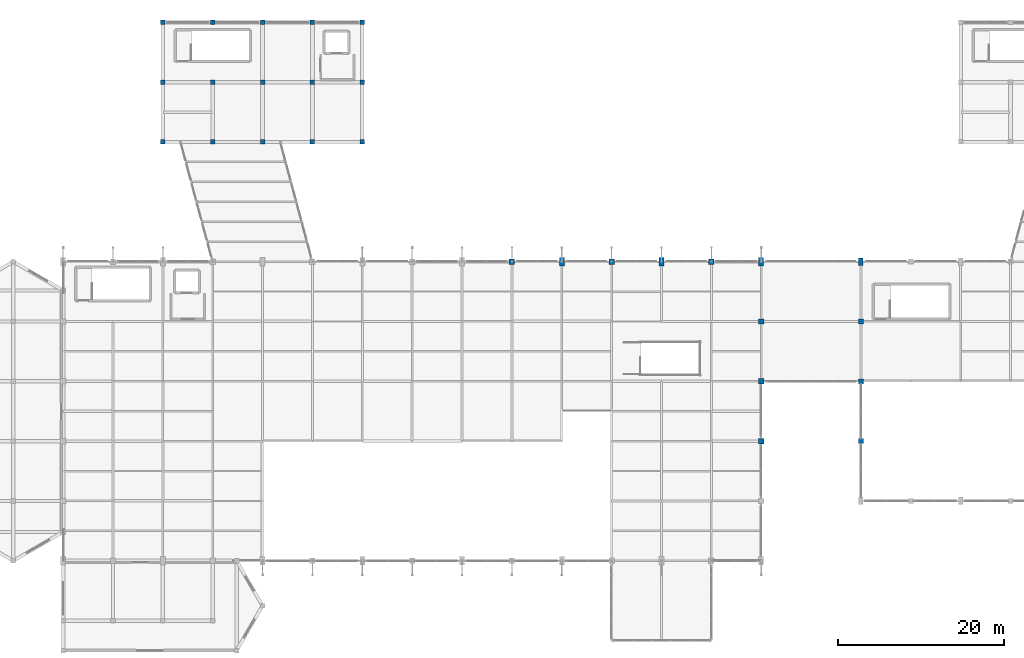
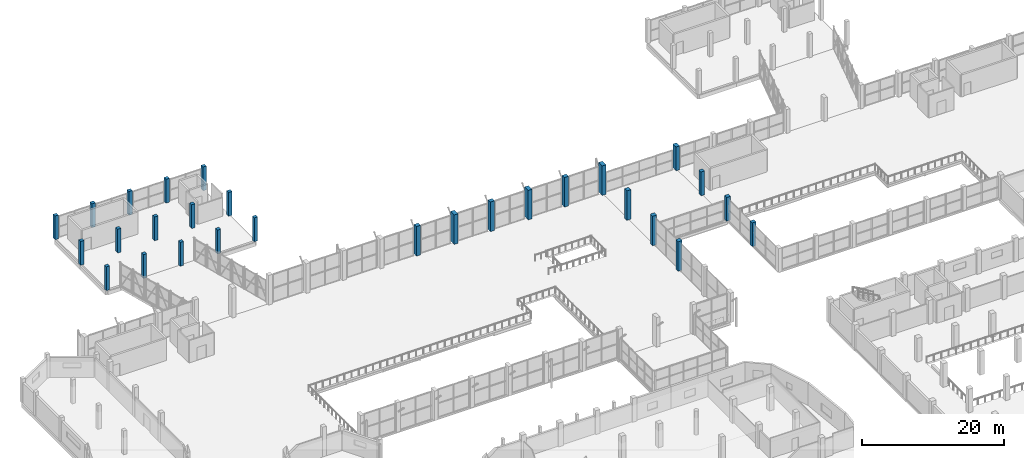
# One storey, part 9 of 127: 28 columns.
"""IFC4 building model written with IfcOpenShell, lengths in metres."""

from ifc_helpers import new_model, si_unit, direction, frame, origin, origin_2d, place, context, subcontext, project, spatial, rectangle, extrude, material, material_profile, profile_set, type_object, element, save


model = new_model("IFC4")

# Units and contexts
model_context = context("Model", 3, precision=1e-05, world=origin(), true_north=direction((0.0, 1.0)))
body_context = subcontext(model_context, "Body", "Model", "MODEL_VIEW")
ifc_project = project(units=[si_unit("LENGTHUNIT", "METRE"), si_unit("AREAUNIT", "SQUARE_METRE"), si_unit("VOLUMEUNIT", "CUBIC_METRE"), si_unit("PLANEANGLEUNIT", "RADIAN"), si_unit("MASSUNIT", "GRAM", prefix="KILO")], contexts=[model_context])

# Site, building, storey
site_placement = place(None, origin())
site = spatial("IfcSite", under=ifc_project, at=site_placement, CompositionType="ELEMENT")
building_placement = place(site_placement, origin())
building = spatial("IfcBuilding", under=site, at=building_placement, Name="Dunvalen Ferry Terminal", CompositionType="ELEMENT")
storey_placement = place(building_placement, frame((0.0, 0.0, 5.760009765625)))
storey = spatial("IfcBuildingStorey", under=building, at=storey_placement, Name="L01", CompositionType="ELEMENT", Elevation=5.760009765625)

# Columns
ifc_material_1 = material(Name="Concrete C40/50", Category="concrete")
ifc_material_profile_1 = material_profile(ifc_material_1, rectangle(XDim=0.60009765625, YDim=1.0, at=origin_2d()), Name="Concrete C40/50")
ifc_profile_set_1 = profile_set([ifc_material_profile_1], Name="Concrete C40/50")
column_type_1 = type_object("IfcColumnType", Name="STR-COL-PIER1000", PredefinedType="COLUMN", material=ifc_profile_set_1)
for number, where, z_axis, x_axis, name in (
    (1, (72.0, 86.39990234375, 0.0), (0.0, 0.0, 1.0), (1.0, 0.0, 0.0), "L01 Departure Hall Upper Pier 26"),
    (2, (84.0, 86.39990234375, 0.0), (0.0, 0.0, 1.0), (1.0, 0.0, 0.0), "L01 Departure Hall Upper Pier 28"),
    (3, (96.0, 86.39990234375, 0.0), (0.0, 0.0, 1.0), (1.0, 0.0, 0.0), "L01 Departure Hall Upper Pier 30"),
):
    element("IfcColumn", number, at=place(storey_placement, frame(where, z_axis=z_axis, x_axis=x_axis)), inside=storey, type_object=column_type_1, Name=name, PredefinedType="COLUMN", context=body_context, shape_type="SweptSolid", body=[
        extrude(rectangle(XDim=0.60009765625, YDim=1.0, at=origin_2d()), origin(), (0.0, 0.0, 1.0), 5.080078125),
    ])
ifc_material_profile_2 = material_profile(ifc_material_1, rectangle(XDim=0.550048828125, YDim=0.89990234375, at=origin_2d()), Name="Concrete C40/50")
ifc_profile_set_2 = profile_set([ifc_material_profile_2], Name="Concrete C40/50")
column_type_2 = type_object("IfcColumnType", Name="STR-COL-PIER900", PredefinedType="COLUMN", material=ifc_profile_set_2)
column_placement = place(storey_placement, frame((108.0, 86.39990234375, 0.0), z_axis=(0.0, 0.0, 1.0), x_axis=(1.0, 0.0, 0.0)))
element("IfcColumn", 4, at=column_placement, inside=storey, type_object=column_type_2, Name="L01 Arrivals Hall Upper Pier 12", PredefinedType="COLUMN", context=body_context, shape_type="SweptSolid", body=[
    extrude(rectangle(XDim=0.550048828125, YDim=0.89990234375, at=origin_2d()), origin(), (0.0, 0.0, 1.0), 4.080078125),
])
ifc_material_2 = material(Name="Concrete C35/45", Category="concrete")
ifc_material_profile_3 = material_profile(ifc_material_2, rectangle(XDim=0.550048828125, YDim=0.550048828125, at=origin_2d()), Name="Concrete C35/45")
ifc_profile_set_3 = profile_set([ifc_material_profile_3], Name="Concrete C35/45")
column_type_3 = type_object("IfcColumnType", Name="STR-COL-RC550", PredefinedType="COLUMN", material=ifc_profile_set_3)
for number, where, z_axis, x_axis, name in (
    (5, (24.0, 100.800048828125, 0.0), (0.0, 0.0, 1.0), (1.0, 0.0, 0.0), "L01 Berth Pavilion 1 Column 01"),
    (6, (24.0, 108.0, 0.0), (0.0, 0.0, 1.0), (1.0, 0.0, 0.0), "L01 Berth Pavilion 1 Column 02"),
    (7, (24.0, 115.199951171875, 0.0), (0.0, 0.0, 1.0), (1.0, 0.0, 0.0), "L01 Berth Pavilion 1 Column 03"),
    (8, (30.0, 100.800048828125, 0.0), (0.0, 0.0, 1.0), (1.0, 0.0, 0.0), "L01 Berth Pavilion 1 Column 04"),
    (9, (30.0, 108.0, 0.0), (0.0, 0.0, 1.0), (1.0, 0.0, 0.0), "L01 Berth Pavilion 1 Column 05"),
    (10, (30.0, 115.199951171875, 0.0), (0.0, 0.0, 1.0), (1.0, 0.0, 0.0), "L01 Berth Pavilion 1 Column 06"),
    (11, (36.0, 100.800048828125, 0.0), (0.0, 0.0, 1.0), (1.0, 0.0, 0.0), "L01 Berth Pavilion 1 Column 07"),
    (12, (36.0, 108.0, 0.0), (0.0, 0.0, 1.0), (1.0, 0.0, 0.0), "L01 Berth Pavilion 1 Column 08"),
    (13, (36.0, 115.199951171875, 0.0), (0.0, 0.0, 1.0), (1.0, 0.0, 0.0), "L01 Berth Pavilion 1 Column 09"),
    (14, (42.0, 100.800048828125, 0.0), (0.0, 0.0, 1.0), (1.0, 0.0, 0.0), "L01 Berth Pavilion 1 Column 10"),
    (15, (42.0, 108.0, 0.0), (0.0, 0.0, 1.0), (1.0, 0.0, 0.0), "L01 Berth Pavilion 1 Column 11"),
    (16, (42.0, 115.199951171875, 0.0), (0.0, 0.0, 1.0), (1.0, 0.0, 0.0), "L01 Berth Pavilion 1 Column 12"),
    (17, (48.0, 100.800048828125, 0.0), (0.0, 0.0, 1.0), (1.0, 0.0, 0.0), "L01 Berth Pavilion 1 Column 13"),
    (18, (48.0, 108.0, 0.0), (0.0, 0.0, 1.0), (1.0, 0.0, 0.0), "L01 Berth Pavilion 1 Column 14"),
    (19, (48.0, 115.199951171875, 0.0), (0.0, 0.0, 1.0), (1.0, 0.0, 0.0), "L01 Berth Pavilion 1 Column 15"),
):
    element("IfcColumn", number, at=place(storey_placement, frame(where, z_axis=z_axis, x_axis=x_axis)), inside=storey, type_object=column_type_3, Name=name, PredefinedType="COLUMN", context=body_context, shape_type="SweptSolid", body=[
        extrude(rectangle(XDim=0.550048828125, YDim=0.550048828125, at=origin_2d()), origin(), (0.0, 0.0, 1.0), 4.080078125),
    ])
ifc_material_profile_4 = material_profile(ifc_material_1, rectangle(XDim=0.60009765625, YDim=0.60009765625, at=origin_2d()), Name="Concrete C40/50")
ifc_profile_set_4 = profile_set([ifc_material_profile_4], Name="Concrete C40/50")
column_type_4 = type_object("IfcColumnType", Name="STR-COL-RC600", PredefinedType="COLUMN", material=ifc_profile_set_4)
for number, where, z_axis, x_axis, name in (
    (20, (108.0, 64.800048828125, 0.0), (0.0, 0.0, 1.0), (1.0, 0.0, 0.0), "L01 Arrivals Hall Upper Pier 23"),
    (21, (108.0, 72.0, 0.0), (0.0, 0.0, 1.0), (1.0, 0.0, 0.0), "L01 Arrivals Hall Upper Pier 24"),
    (22, (108.0, 79.199951171875, 0.0), (0.0, 0.0, 1.0), (1.0, 0.0, 0.0), "L01 Arrivals Hall Upper Pier 25"),
):
    element("IfcColumn", number, at=place(storey_placement, frame(where, z_axis=z_axis, x_axis=x_axis)), inside=storey, type_object=column_type_4, Name=name, PredefinedType="COLUMN", context=body_context, shape_type="SweptSolid", body=[
        extrude(rectangle(XDim=0.60009765625, YDim=0.60009765625, at=origin_2d()), origin(), (0.0, 0.0, 1.0), 4.080078125),
    ])
ifc_material_profile_5 = material_profile(ifc_material_1, rectangle(XDim=0.64990234375, YDim=0.64990234375, at=origin_2d()), Name="Concrete C40/50")
ifc_profile_set_5 = profile_set([ifc_material_profile_5], Name="Concrete C40/50")
column_type_5 = type_object("IfcColumnType", Name="STR-COL-RC650", PredefinedType="COLUMN", material=ifc_profile_set_5)
for number, where, z_axis, x_axis, name in (
    (23, (66.0, 86.39990234375, 0.0), (0.0, 0.0, 1.0), (1.0, 0.0, 0.0), "L01 Departure Hall Upper Pier 25"),
    (24, (78.0, 86.39990234375, 0.0), (0.0, 0.0, 1.0), (1.0, 0.0, 0.0), "L01 Departure Hall Upper Pier 27"),
    (25, (90.0, 86.39990234375, 0.0), (0.0, 0.0, 1.0), (1.0, 0.0, 0.0), "L01 Departure Hall Upper Pier 29"),
    (26, (96.0, 64.800048828125, 0.0), (0.0, 0.0, 1.0), (1.0, 0.0, 0.0), "L01 Departure Hall Upper Pier 36"),
    (27, (96.0, 72.0, 0.0), (0.0, 0.0, 1.0), (1.0, 0.0, 0.0), "L01 Departure Hall Upper Pier 37"),
    (28, (96.0, 79.199951171875, 0.0), (0.0, 0.0, 1.0), (1.0, 0.0, 0.0), "L01 Departure Hall Upper Pier 38"),
):
    element("IfcColumn", number, at=place(storey_placement, frame(where, z_axis=z_axis, x_axis=x_axis)), inside=storey, type_object=column_type_5, Name=name, PredefinedType="COLUMN", context=body_context, shape_type="SweptSolid", body=[
        extrude(rectangle(XDim=0.64990234375, YDim=0.64990234375, at=origin_2d()), origin(), (0.0, 0.0, 1.0), 5.080078125),
    ])

save(model, "model.ifc")
